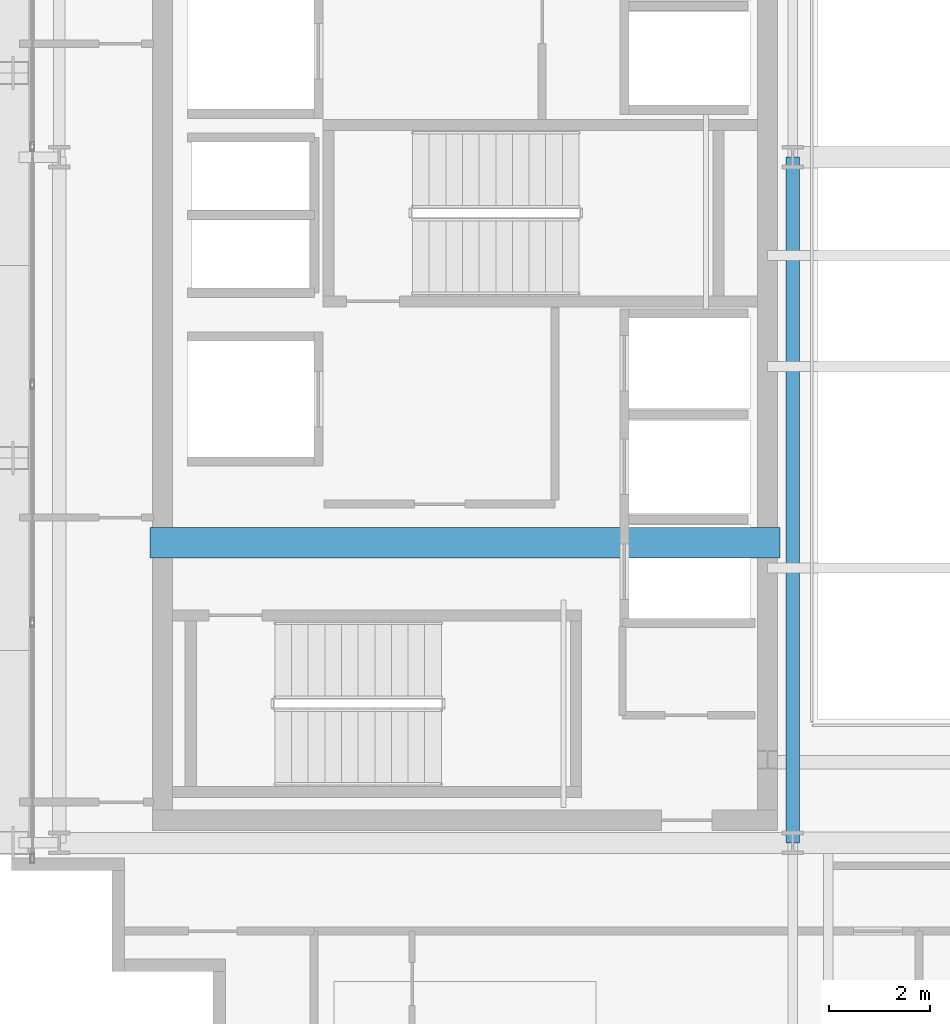
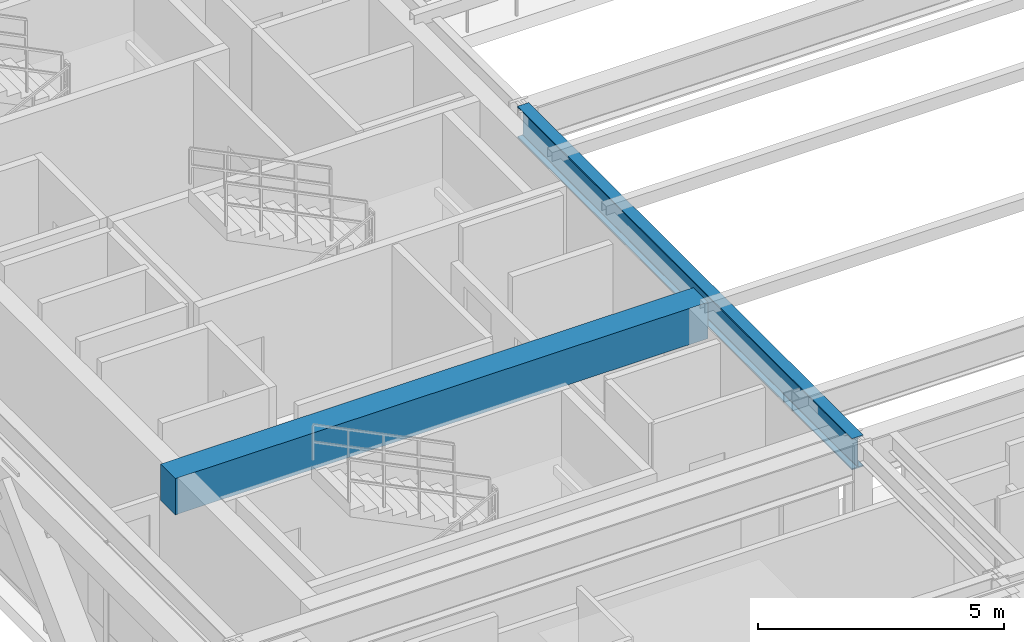
# One storey, part 5 of 29: 2 beams.
"""IFC4 building model written with IfcOpenShell, lengths in metres."""

from ifc_helpers import new_model, si_unit, direction, frame, origin, origin_2d, place, context, subcontext, project, spatial, rectangle, i_section, extrude, source, transform, mapped, material, material_profile, profile_set, type_object, element, save


model = new_model("IFC4")

# Units and contexts
model_context = context("Model", 3, precision=1e-05, world=origin(), true_north=direction((0.0, 1.0)))
body_context = subcontext(model_context, "Body", "Model", "MODEL_VIEW")
ifc_project = project(units=[si_unit("LENGTHUNIT", "METRE"), si_unit("AREAUNIT", "SQUARE_METRE"), si_unit("VOLUMEUNIT", "CUBIC_METRE"), si_unit("PLANEANGLEUNIT", "RADIAN"), si_unit("MASSUNIT", "GRAM", prefix="KILO")], contexts=[model_context])

# Site, building, storey
site_placement = place(None, origin())
site = spatial("IfcSite", under=ifc_project, at=site_placement, CompositionType="ELEMENT")
building_placement = place(site_placement, origin())
building = spatial("IfcBuilding", under=site, at=building_placement, Name="Ocotamira Hotel", CompositionType="ELEMENT")
storey_placement = place(building_placement, frame((0.0, 0.0, 247.199951171875)))
storey = spatial("IfcBuildingStorey", under=building, at=storey_placement, Name="L62", CompositionType="ELEMENT", Elevation=247.199951171875)

# Beams
ifc_material_1 = material(Name="Concrete C50/60", Category="concrete")
ifc_material_profile_1 = material_profile(ifc_material_1, rectangle(XDim=0.60009765625, YDim=0.89990234375, at=origin_2d()), Name="RC600X900")
ifc_profile_set_1 = profile_set([ifc_material_profile_1], Name="Concrete C50/60")
beam_type_1 = type_object("IfcBeamType", Name="BM-LINK-RC600", PredefinedType="LINTEL", material=ifc_profile_set_1)
shared_shape_1 = source(origin(), body_context, "Body", "SweptSolid", [
    extrude(rectangle(XDim=0.60009765625, YDim=0.89990234375, at=origin_2d()), origin(), (0.0, 0.0, 1.0), 12.5),
])
beam_1_placement = place(storey_placement, frame((10.75, 20.5, 2.929931640625), z_axis=(1.0, 0.0, 0.0), x_axis=(0.0, 1.0, 0.0)))
element("IfcBeam", 1, at=beam_1_placement, inside=storey, type_object=beam_type_1, Name="L62 West Core Coupling Beam", PredefinedType="LINTEL", context=body_context, shape_type="MappedRepresentation", body=[
    mapped(shared_shape_1, transform((0.0, 0.0, 0.0), scale=1.0)),
])
ifc_material_2 = material(Name="Steel ASTM A992 Grade 50", Category="steel")
ifc_material_profile_2 = material_profile(ifc_material_2, i_section(OverallWidth=0.26611328125, OverallDepth=0.779052734375, WebThickness=0.0166015625, FlangeThickness=0.030029296875, FilletRadius=0.01806640625, at=origin_2d()), Name="W30X148")
ifc_profile_set_2 = profile_set([ifc_material_profile_2], Name="Steel ASTM A992 Grade 50")
beam_type_2 = type_object("IfcBeamType", Name="BM-GIRD-W30X148", PredefinedType="BEAM", material=ifc_profile_set_2)
shared_shape_2 = source(origin(), body_context, "Body", "SweptSolid", [
    extrude(i_section(OverallWidth=0.26611328125, OverallDepth=0.779052734375, WebThickness=0.0166015625, FlangeThickness=0.030029296875, FilletRadius=0.01806640625, at=origin_2d()), origin(), (0.0, 0.0, 1.0), 13.599853515625),
])
beam_2_placement = place(storey_placement, frame((23.5, 14.550048828125, 2.990478515625), z_axis=(0.0, 1.0, 0.0), x_axis=(-1.0, 0.0, 0.0)))
element("IfcBeam", 2, at=beam_2_placement, inside=storey, type_object=beam_type_2, Name="L62 Beam X23.5 Y14.55-28.15", PredefinedType="BEAM", context=body_context, shape_type="MappedRepresentation", body=[
    mapped(shared_shape_2, transform((0.0, 0.0, 0.0), scale=1.0)),
])

save(model, "model.ifc")
